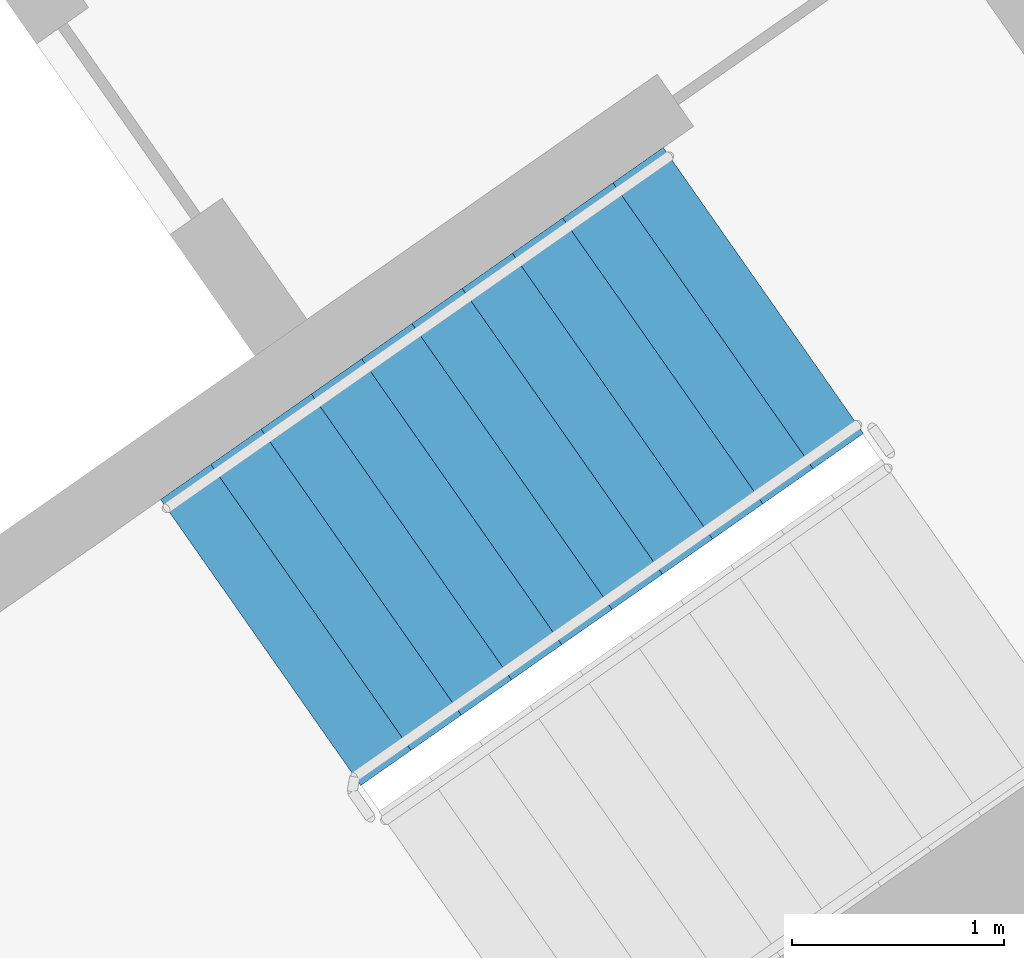
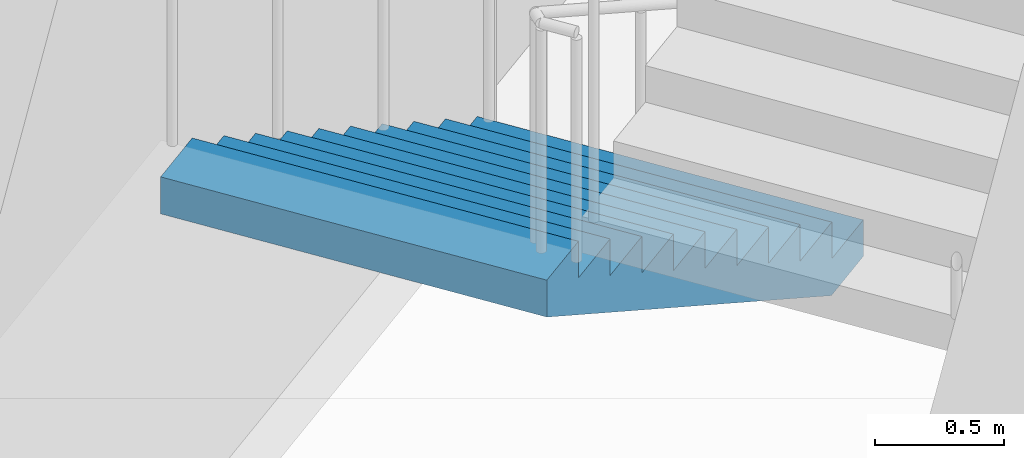
# One storey, part 17 of 29: 1 stair flight, 1 element without a shape of its own.
"""IFC4 building model written with IfcOpenShell, lengths in metres."""

from ifc_helpers import new_model, si_unit, direction, frame, origin, place, context, subcontext, project, spatial, faceted_brep, material, type_object, element, aggregate, save


model = new_model("IFC4")

# Units and contexts
model_context = context("Model", 3, precision=1e-05, world=origin(), true_north=direction((0.0, 1.0)))
body_context = subcontext(model_context, "Body", "Model", "MODEL_VIEW")
ifc_project = project(units=[si_unit("LENGTHUNIT", "METRE"), si_unit("AREAUNIT", "SQUARE_METRE"), si_unit("VOLUMEUNIT", "CUBIC_METRE"), si_unit("PLANEANGLEUNIT", "RADIAN"), si_unit("MASSUNIT", "GRAM", prefix="KILO")], contexts=[model_context])

# Site, building, storey
site_placement = place(None, origin())
site = spatial("IfcSite", under=ifc_project, at=site_placement, CompositionType="ELEMENT")
building_placement = place(site_placement, origin())
building = spatial("IfcBuilding", under=site, at=building_placement, Name="Qamariyya Broadcast Tower", CompositionType="ELEMENT")
storey_placement = place(building_placement, frame((0.0, 0.0, 129.10009765625)))
storey = spatial("IfcBuildingStorey", under=building, at=storey_placement, Name="L29", CompositionType="ELEMENT", Elevation=129.10009765625)

# Stair, stair flight
ifc_material = material(Name="Concrete C50/60", Category="concrete")
stair_type = type_object("IfcStairType", Name="Exit stair 22 risers of 173 mm", PredefinedType="HALF_TURN_STAIR", material=ifc_material)
stair_placement = place(storey_placement, origin())
stair = element("IfcStair", 1, at=stair_placement, inside=storey, type_object=stair_type, Name="L29 Stair E1", PredefinedType="HALF_TURN_STAIR")
stair_flight_type = type_object("IfcStairFlightType", Name="Exit stair flight 11 risers of 173 mm", PredefinedType="STRAIGHT", material=ifc_material)
stair_flight_placement = place(storey_placement, frame((46.036376953125, -55.508056640625, 0.0), z_axis=(0.0, 0.0, 1.0), x_axis=(-0.819152044289, -0.573576436351, 0.0)))
stair_flight = element("IfcStairFlight", 2, at=stair_flight_placement, type_object=stair_flight_type, Name="ST-E1 flight 1", NumberOfRisers=11, NumberOfTreads=10, PredefinedType="STRAIGHT", RiserHeight=0.172727273, TreadLength=0.29, context=body_context, shape_type="Brep", body=[
    faceted_brep([(0.0, 0.824951171875, 0.0), (0.0, 0.824951171875, 0.172607421875), (0.2900390625, 0.824951171875, 0.172607421875), (0.2900390625, 0.824951171875, 0.345458984375), (0.580078125, 0.824951171875, 0.345458984375), (0.580078125, 0.824951171875, 0.51806640625), (0.8701171875, 0.824951171875, 0.51806640625), (0.8701171875, 0.824951171875, 0.69091796875), (1.159912109375, 0.824951171875, 0.69091796875), (1.159912109375, 0.824951171875, 0.863525390625), (1.449951171875, 0.824951171875, 0.863525390625), (1.449951171875, 0.824951171875, 1.036376953125), (1.739990234375, 0.824951171875, 1.036376953125), (1.739990234375, 0.824951171875, 1.208984375), (2.030029296875, 0.824951171875, 1.208984375), (2.030029296875, 0.824951171875, 1.3818359375), (2.320068359375, 0.824951171875, 1.3818359375), (2.320068359375, 0.824951171875, 1.554443359375), (2.610107421875, 0.824951171875, 1.554443359375), (2.610107421875, 0.824951171875, 1.727294921875), (2.89990234375, 0.824951171875, 1.727294921875), (2.89990234375, 0.824951171875, 1.552734375), (0.29296875, 0.824951171875, 0.0), (0.29296875, -0.824951171875, 0.0), (2.89990234375, -0.824951171875, 1.552734375), (2.89990234375, -0.824951171875, 1.727294921875), (2.610107421875, -0.824951171875, 1.727294921875), (2.610107421875, -0.824951171875, 1.554443359375), (2.320068359375, -0.824951171875, 1.554443359375), (2.320068359375, -0.824951171875, 1.3818359375), (2.030029296875, -0.824951171875, 1.3818359375), (2.030029296875, -0.824951171875, 1.208984375), (1.739990234375, -0.824951171875, 1.208984375), (1.739990234375, -0.824951171875, 1.036376953125), (1.449951171875, -0.824951171875, 1.036376953125), (1.449951171875, -0.824951171875, 0.863525390625), (1.159912109375, -0.824951171875, 0.863525390625), (1.159912109375, -0.824951171875, 0.69091796875), (0.8701171875, -0.824951171875, 0.69091796875), (0.8701171875, -0.824951171875, 0.51806640625), (0.580078125, -0.824951171875, 0.51806640625), (0.580078125, -0.824951171875, 0.345458984375), (0.2900390625, -0.824951171875, 0.345458984375), (0.2900390625, -0.824951171875, 0.172607421875), (0.0, -0.824951171875, 0.172607421875), (0.0, -0.824951171875, 0.0), (0.0, 0.10009765625, 0.0), (0.0, 0.086669921875, 0.0), (0.0, 0.0732421875, 0.0), (0.0, 0.06005859375, 0.0), (0.0, 0.046630859375, 0.0), (0.0, 0.033447265625, 0.0), (0.0, 0.02001953125, 0.0), (0.0, 0.006591796875, 0.0), (0.0, -0.006591796875, 0.0), (0.0, -0.02001953125, 0.0), (0.0, -0.033447265625, 0.0), (0.0, -0.046630859375, 0.0), (0.0, -0.06005859375, 0.0), (0.0, -0.0732421875, 0.0), (0.0, -0.086669921875, 0.0), (0.0, -0.10009765625, 0.0), (0.0, -0.10009765625, 0.172607421875), (0.0, -0.086669921875, 0.172607421875), (0.0, -0.0732421875, 0.172607421875), (0.0, -0.06005859375, 0.172607421875), (0.0, -0.046630859375, 0.172607421875), (0.0, -0.033447265625, 0.172607421875), (0.0, -0.02001953125, 0.172607421875), (0.0, -0.006591796875, 0.172607421875), (0.0, 0.006591796875, 0.172607421875), (0.0, 0.02001953125, 0.172607421875), (0.0, 0.033447265625, 0.172607421875), (0.0, 0.046630859375, 0.172607421875), (0.0, 0.06005859375, 0.172607421875), (0.0, 0.0732421875, 0.172607421875), (0.0, 0.086669921875, 0.172607421875), (0.0, 0.10009765625, 0.172607421875), (0.2900390625, -0.10009765625, 0.172607421875), (0.2900390625, -0.086669921875, 0.172607421875), (0.2900390625, -0.0732421875, 0.172607421875), (0.2900390625, -0.06005859375, 0.172607421875), (0.2900390625, -0.046630859375, 0.172607421875), (0.2900390625, -0.033447265625, 0.172607421875), (0.2900390625, -0.02001953125, 0.172607421875), (0.2900390625, -0.006591796875, 0.172607421875), (0.2900390625, 0.006591796875, 0.172607421875), (0.2900390625, 0.02001953125, 0.172607421875), (0.2900390625, 0.033447265625, 0.172607421875), (0.2900390625, 0.046630859375, 0.172607421875), (0.2900390625, 0.06005859375, 0.172607421875), (0.2900390625, 0.0732421875, 0.172607421875), (0.2900390625, 0.086669921875, 0.172607421875), (0.2900390625, 0.10009765625, 0.172607421875), (0.2900390625, -0.10009765625, 0.345458984375), (0.2900390625, -0.086669921875, 0.345458984375), (0.2900390625, -0.0732421875, 0.345458984375), (0.2900390625, -0.06005859375, 0.345458984375), (0.2900390625, -0.046630859375, 0.345458984375), (0.2900390625, -0.033447265625, 0.345458984375), (0.2900390625, -0.02001953125, 0.345458984375), (0.2900390625, -0.006591796875, 0.345458984375), (0.2900390625, 0.006591796875, 0.345458984375), (0.2900390625, 0.02001953125, 0.345458984375), (0.2900390625, 0.033447265625, 0.345458984375), (0.2900390625, 0.046630859375, 0.345458984375), (0.2900390625, 0.06005859375, 0.345458984375), (0.2900390625, 0.0732421875, 0.345458984375), (0.2900390625, 0.086669921875, 0.345458984375), (0.2900390625, 0.10009765625, 0.345458984375), (0.580078125, -0.10009765625, 0.345458984375), (0.580078125, -0.086669921875, 0.345458984375), (0.580078125, -0.0732421875, 0.345458984375), (0.580078125, -0.06005859375, 0.345458984375), (0.580078125, -0.046630859375, 0.345458984375), (0.580078125, -0.033447265625, 0.345458984375), (0.580078125, -0.02001953125, 0.345458984375), (0.580078125, -0.006591796875, 0.345458984375), (0.580078125, 0.006591796875, 0.345458984375), (0.580078125, 0.02001953125, 0.345458984375), (0.580078125, 0.033447265625, 0.345458984375), (0.580078125, 0.046630859375, 0.345458984375), (0.580078125, 0.06005859375, 0.345458984375), (0.580078125, 0.0732421875, 0.345458984375), (0.580078125, 0.086669921875, 0.345458984375), (0.580078125, 0.10009765625, 0.345458984375), (0.580078125, -0.10009765625, 0.51806640625), (0.580078125, -0.086669921875, 0.51806640625), (0.580078125, -0.0732421875, 0.51806640625), (0.580078125, -0.06005859375, 0.51806640625), (0.580078125, -0.046630859375, 0.51806640625), (0.580078125, -0.033447265625, 0.51806640625), (0.580078125, -0.02001953125, 0.51806640625), (0.580078125, -0.006591796875, 0.51806640625), (0.580078125, 0.006591796875, 0.51806640625), (0.580078125, 0.02001953125, 0.51806640625), (0.580078125, 0.033447265625, 0.51806640625), (0.580078125, 0.046630859375, 0.51806640625), (0.580078125, 0.06005859375, 0.51806640625), (0.580078125, 0.0732421875, 0.51806640625), (0.580078125, 0.086669921875, 0.51806640625), (0.580078125, 0.10009765625, 0.51806640625), (0.8701171875, -0.10009765625, 0.51806640625), (0.8701171875, -0.086669921875, 0.51806640625), (0.8701171875, -0.0732421875, 0.51806640625), (0.8701171875, -0.06005859375, 0.51806640625), (0.8701171875, -0.046630859375, 0.51806640625), (0.8701171875, -0.033447265625, 0.51806640625), (0.8701171875, -0.02001953125, 0.51806640625), (0.8701171875, -0.006591796875, 0.51806640625), (0.8701171875, 0.006591796875, 0.51806640625), (0.8701171875, 0.02001953125, 0.51806640625), (0.8701171875, 0.033447265625, 0.51806640625), (0.8701171875, 0.046630859375, 0.51806640625), (0.8701171875, 0.06005859375, 0.51806640625), (0.8701171875, 0.0732421875, 0.51806640625), (0.8701171875, 0.086669921875, 0.51806640625), (0.8701171875, 0.10009765625, 0.51806640625), (0.8701171875, -0.10009765625, 0.69091796875), (0.8701171875, -0.086669921875, 0.69091796875), (0.8701171875, -0.0732421875, 0.69091796875), (0.8701171875, -0.06005859375, 0.69091796875), (0.8701171875, -0.046630859375, 0.69091796875), (0.8701171875, -0.033447265625, 0.69091796875), (0.8701171875, -0.02001953125, 0.69091796875), (0.8701171875, -0.006591796875, 0.69091796875), (0.8701171875, 0.006591796875, 0.69091796875), (0.8701171875, 0.02001953125, 0.69091796875), (0.8701171875, 0.033447265625, 0.69091796875), (0.8701171875, 0.046630859375, 0.69091796875), (0.8701171875, 0.06005859375, 0.69091796875), (0.8701171875, 0.0732421875, 0.69091796875), (0.8701171875, 0.086669921875, 0.69091796875), (0.8701171875, 0.10009765625, 0.69091796875), (1.159912109375, -0.10009765625, 0.69091796875), (1.159912109375, -0.086669921875, 0.69091796875), (1.159912109375, -0.0732421875, 0.69091796875), (1.159912109375, -0.06005859375, 0.69091796875), (1.159912109375, -0.046630859375, 0.69091796875), (1.159912109375, -0.033447265625, 0.69091796875), (1.159912109375, -0.02001953125, 0.69091796875), (1.159912109375, -0.006591796875, 0.69091796875), (1.159912109375, 0.006591796875, 0.69091796875), (1.159912109375, 0.02001953125, 0.69091796875), (1.159912109375, 0.033447265625, 0.69091796875), (1.159912109375, 0.046630859375, 0.69091796875), (1.159912109375, 0.06005859375, 0.69091796875), (1.159912109375, 0.0732421875, 0.69091796875), (1.159912109375, 0.086669921875, 0.69091796875), (1.159912109375, 0.10009765625, 0.69091796875), (1.159912109375, -0.10009765625, 0.863525390625), (1.159912109375, -0.086669921875, 0.863525390625), (1.159912109375, -0.0732421875, 0.863525390625), (1.159912109375, -0.06005859375, 0.863525390625), (1.159912109375, -0.046630859375, 0.863525390625), (1.159912109375, -0.033447265625, 0.863525390625), (1.159912109375, -0.02001953125, 0.863525390625), (1.159912109375, -0.006591796875, 0.863525390625), (1.159912109375, 0.006591796875, 0.863525390625), (1.159912109375, 0.02001953125, 0.863525390625), (1.159912109375, 0.033447265625, 0.863525390625), (1.159912109375, 0.046630859375, 0.863525390625), (1.159912109375, 0.06005859375, 0.863525390625), (1.159912109375, 0.0732421875, 0.863525390625), (1.159912109375, 0.086669921875, 0.863525390625), (1.159912109375, 0.10009765625, 0.863525390625), (1.449951171875, -0.10009765625, 0.863525390625), (1.449951171875, -0.086669921875, 0.863525390625), (1.449951171875, -0.0732421875, 0.863525390625), (1.449951171875, -0.06005859375, 0.863525390625), (1.449951171875, -0.046630859375, 0.863525390625), (1.449951171875, -0.033447265625, 0.863525390625), (1.449951171875, -0.02001953125, 0.863525390625), (1.449951171875, -0.006591796875, 0.863525390625), (1.449951171875, 0.006591796875, 0.863525390625), (1.449951171875, 0.02001953125, 0.863525390625), (1.449951171875, 0.033447265625, 0.863525390625), (1.449951171875, 0.046630859375, 0.863525390625), (1.449951171875, 0.06005859375, 0.863525390625), (1.449951171875, 0.0732421875, 0.863525390625), (1.449951171875, 0.086669921875, 0.863525390625), (1.449951171875, 0.10009765625, 0.863525390625), (1.449951171875, -0.10009765625, 1.036376953125), (1.449951171875, -0.086669921875, 1.036376953125), (1.449951171875, -0.0732421875, 1.036376953125), (1.449951171875, -0.06005859375, 1.036376953125), (1.449951171875, -0.046630859375, 1.036376953125), (1.449951171875, -0.033447265625, 1.036376953125), (1.449951171875, -0.02001953125, 1.036376953125), (1.449951171875, -0.006591796875, 1.036376953125), (1.449951171875, 0.006591796875, 1.036376953125), (1.449951171875, 0.02001953125, 1.036376953125), (1.449951171875, 0.033447265625, 1.036376953125), (1.449951171875, 0.046630859375, 1.036376953125), (1.449951171875, 0.06005859375, 1.036376953125), (1.449951171875, 0.0732421875, 1.036376953125), (1.449951171875, 0.086669921875, 1.036376953125), (1.449951171875, 0.10009765625, 1.036376953125), (1.739990234375, -0.10009765625, 1.036376953125), (1.739990234375, -0.086669921875, 1.036376953125), (1.739990234375, -0.0732421875, 1.036376953125), (1.739990234375, -0.06005859375, 1.036376953125), (1.739990234375, -0.046630859375, 1.036376953125), (1.739990234375, -0.033447265625, 1.036376953125), (1.739990234375, -0.02001953125, 1.036376953125), (1.739990234375, -0.006591796875, 1.036376953125), (1.739990234375, 0.006591796875, 1.036376953125), (1.739990234375, 0.02001953125, 1.036376953125), (1.739990234375, 0.033447265625, 1.036376953125), (1.739990234375, 0.046630859375, 1.036376953125), (1.739990234375, 0.06005859375, 1.036376953125), (1.739990234375, 0.0732421875, 1.036376953125), (1.739990234375, 0.086669921875, 1.036376953125), (1.739990234375, 0.10009765625, 1.036376953125), (1.739990234375, -0.10009765625, 1.208984375), (1.739990234375, -0.086669921875, 1.208984375), (1.739990234375, -0.0732421875, 1.208984375), (1.739990234375, -0.06005859375, 1.208984375), (1.739990234375, -0.046630859375, 1.208984375), (1.739990234375, -0.033447265625, 1.208984375), (1.739990234375, -0.02001953125, 1.208984375), (1.739990234375, -0.006591796875, 1.208984375), (1.739990234375, 0.006591796875, 1.208984375), (1.739990234375, 0.02001953125, 1.208984375), (1.739990234375, 0.033447265625, 1.208984375), (1.739990234375, 0.046630859375, 1.208984375), (1.739990234375, 0.06005859375, 1.208984375), (1.739990234375, 0.0732421875, 1.208984375), (1.739990234375, 0.086669921875, 1.208984375), (1.739990234375, 0.10009765625, 1.208984375), (2.030029296875, -0.10009765625, 1.208984375), (2.030029296875, -0.086669921875, 1.208984375), (2.030029296875, -0.0732421875, 1.208984375), (2.030029296875, -0.06005859375, 1.208984375), (2.030029296875, -0.046630859375, 1.208984375), (2.030029296875, -0.033447265625, 1.208984375), (2.030029296875, -0.02001953125, 1.208984375), (2.030029296875, -0.006591796875, 1.208984375), (2.030029296875, 0.006591796875, 1.208984375), (2.030029296875, 0.02001953125, 1.208984375), (2.030029296875, 0.033447265625, 1.208984375), (2.030029296875, 0.046630859375, 1.208984375), (2.030029296875, 0.06005859375, 1.208984375), (2.030029296875, 0.0732421875, 1.208984375), (2.030029296875, 0.086669921875, 1.208984375), (2.030029296875, 0.10009765625, 1.208984375), (2.030029296875, -0.10009765625, 1.3818359375), (2.030029296875, -0.086669921875, 1.3818359375), (2.030029296875, -0.0732421875, 1.3818359375), (2.030029296875, -0.06005859375, 1.3818359375), (2.030029296875, -0.046630859375, 1.3818359375), (2.030029296875, -0.033447265625, 1.3818359375), (2.030029296875, -0.02001953125, 1.3818359375), (2.030029296875, -0.006591796875, 1.3818359375), (2.030029296875, 0.006591796875, 1.3818359375), (2.030029296875, 0.02001953125, 1.3818359375), (2.030029296875, 0.033447265625, 1.3818359375), (2.030029296875, 0.046630859375, 1.3818359375), (2.030029296875, 0.06005859375, 1.3818359375), (2.030029296875, 0.0732421875, 1.3818359375), (2.030029296875, 0.086669921875, 1.3818359375), (2.030029296875, 0.10009765625, 1.3818359375), (2.320068359375, -0.10009765625, 1.3818359375), (2.320068359375, -0.086669921875, 1.3818359375), (2.320068359375, -0.0732421875, 1.3818359375), (2.320068359375, -0.06005859375, 1.3818359375), (2.320068359375, -0.046630859375, 1.3818359375), (2.320068359375, -0.033447265625, 1.3818359375), (2.320068359375, -0.02001953125, 1.3818359375), (2.320068359375, -0.006591796875, 1.3818359375), (2.320068359375, 0.006591796875, 1.3818359375), (2.320068359375, 0.02001953125, 1.3818359375), (2.320068359375, 0.033447265625, 1.3818359375), (2.320068359375, 0.046630859375, 1.3818359375), (2.320068359375, 0.06005859375, 1.3818359375), (2.320068359375, 0.0732421875, 1.3818359375), (2.320068359375, 0.086669921875, 1.3818359375), (2.320068359375, 0.10009765625, 1.3818359375), (2.320068359375, -0.10009765625, 1.554443359375), (2.320068359375, -0.086669921875, 1.554443359375), (2.320068359375, -0.0732421875, 1.554443359375), (2.320068359375, -0.06005859375, 1.554443359375), (2.320068359375, -0.046630859375, 1.554443359375), (2.320068359375, -0.033447265625, 1.554443359375), (2.320068359375, -0.02001953125, 1.554443359375), (2.320068359375, -0.006591796875, 1.554443359375), (2.320068359375, 0.006591796875, 1.554443359375), (2.320068359375, 0.02001953125, 1.554443359375), (2.320068359375, 0.033447265625, 1.554443359375), (2.320068359375, 0.046630859375, 1.554443359375), (2.320068359375, 0.06005859375, 1.554443359375), (2.320068359375, 0.0732421875, 1.554443359375), (2.320068359375, 0.086669921875, 1.554443359375), (2.320068359375, 0.10009765625, 1.554443359375), (2.610107421875, -0.10009765625, 1.554443359375), (2.610107421875, -0.086669921875, 1.554443359375), (2.610107421875, -0.0732421875, 1.554443359375), (2.610107421875, -0.06005859375, 1.554443359375), (2.610107421875, -0.046630859375, 1.554443359375), (2.610107421875, -0.033447265625, 1.554443359375), (2.610107421875, -0.02001953125, 1.554443359375), (2.610107421875, -0.006591796875, 1.554443359375), (2.610107421875, 0.006591796875, 1.554443359375), (2.610107421875, 0.02001953125, 1.554443359375), (2.610107421875, 0.033447265625, 1.554443359375), (2.610107421875, 0.046630859375, 1.554443359375), (2.610107421875, 0.06005859375, 1.554443359375), (2.610107421875, 0.0732421875, 1.554443359375), (2.610107421875, 0.086669921875, 1.554443359375), (2.610107421875, 0.10009765625, 1.554443359375), (2.610107421875, -0.10009765625, 1.727294921875), (2.610107421875, -0.086669921875, 1.727294921875), (2.610107421875, -0.0732421875, 1.727294921875), (2.610107421875, -0.06005859375, 1.727294921875), (2.610107421875, -0.046630859375, 1.727294921875), (2.610107421875, -0.033447265625, 1.727294921875), (2.610107421875, -0.02001953125, 1.727294921875), (2.610107421875, -0.006591796875, 1.727294921875), (2.610107421875, 0.006591796875, 1.727294921875), (2.610107421875, 0.02001953125, 1.727294921875), (2.610107421875, 0.033447265625, 1.727294921875), (2.610107421875, 0.046630859375, 1.727294921875), (2.610107421875, 0.06005859375, 1.727294921875), (2.610107421875, 0.0732421875, 1.727294921875), (2.610107421875, 0.086669921875, 1.727294921875), (2.610107421875, 0.10009765625, 1.727294921875), (2.89990234375, -0.10009765625, 1.727294921875), (2.89990234375, -0.086669921875, 1.727294921875), (2.89990234375, -0.0732421875, 1.727294921875), (2.89990234375, -0.06005859375, 1.727294921875), (2.89990234375, -0.046630859375, 1.727294921875), (2.89990234375, -0.033447265625, 1.727294921875), (2.89990234375, -0.02001953125, 1.727294921875), (2.89990234375, -0.006591796875, 1.727294921875), (2.89990234375, 0.006591796875, 1.727294921875), (2.89990234375, 0.02001953125, 1.727294921875), (2.89990234375, 0.033447265625, 1.727294921875), (2.89990234375, 0.046630859375, 1.727294921875), (2.89990234375, 0.06005859375, 1.727294921875), (2.89990234375, 0.0732421875, 1.727294921875), (2.89990234375, 0.086669921875, 1.727294921875), (2.89990234375, 0.10009765625, 1.727294921875), (2.89990234375, -0.10009765625, 1.552734375), (2.89990234375, -0.086669921875, 1.552734375), (2.89990234375, -0.0732421875, 1.552734375), (2.89990234375, -0.06005859375, 1.552734375), (2.89990234375, -0.046630859375, 1.552734375), (2.89990234375, -0.033447265625, 1.552734375), (2.89990234375, -0.02001953125, 1.552734375), (2.89990234375, -0.006591796875, 1.552734375), (2.89990234375, 0.006591796875, 1.552734375), (2.89990234375, 0.02001953125, 1.552734375), (2.89990234375, 0.033447265625, 1.552734375), (2.89990234375, 0.046630859375, 1.552734375), (2.89990234375, 0.06005859375, 1.552734375), (2.89990234375, 0.0732421875, 1.552734375), (2.89990234375, 0.086669921875, 1.552734375), (2.89990234375, 0.10009765625, 1.552734375), (0.29296875, -0.10009765625, 0.0), (0.29296875, -0.086669921875, 0.0), (0.29296875, -0.0732421875, 0.0), (0.29296875, -0.06005859375, 0.0), (0.29296875, -0.046630859375, 0.0), (0.29296875, -0.033447265625, 0.0), (0.29296875, -0.02001953125, 0.0), (0.29296875, -0.006591796875, 0.0), (0.29296875, 0.006591796875, 0.0), (0.29296875, 0.02001953125, 0.0), (0.29296875, 0.033447265625, 0.0), (0.29296875, 0.046630859375, 0.0), (0.29296875, 0.06005859375, 0.0), (0.29296875, 0.0732421875, 0.0), (0.29296875, 0.086669921875, 0.0), (0.29296875, 0.10009765625, 0.0)], [[[0, 1, 2, 3, 4, 5, 6, 7, 8, 9, 10, 11, 12, 13, 14, 15, 16, 17, 18, 19, 20, 21, 22]], [[23, 24, 25, 26, 27, 28, 29, 30, 31, 32, 33, 34, 35, 36, 37, 38, 39, 40, 41, 42, 43, 44, 45]], [[0, 46, 47, 48, 49, 50, 51, 52, 53, 54, 55, 56, 57, 58, 59, 60, 61, 45, 44, 62, 63, 64, 65, 66, 67, 68, 69, 70, 71, 72, 73, 74, 75, 76, 77, 1]], [[1, 77, 76, 75, 74, 73, 72, 71, 70, 69, 68, 67, 66, 65, 64, 63, 62, 44, 43, 78, 79, 80, 81, 82, 83, 84, 85, 86, 87, 88, 89, 90, 91, 92, 93, 2]], [[2, 93, 92, 91, 90, 89, 88, 87, 86, 85, 84, 83, 82, 81, 80, 79, 78, 43, 42, 94, 95, 96, 97, 98, 99, 100, 101, 102, 103, 104, 105, 106, 107, 108, 109, 3]], [[3, 109, 108, 107, 106, 105, 104, 103, 102, 101, 100, 99, 98, 97, 96, 95, 94, 42, 41, 110, 111, 112, 113, 114, 115, 116, 117, 118, 119, 120, 121, 122, 123, 124, 125, 4]], [[4, 125, 124, 123, 122, 121, 120, 119, 118, 117, 116, 115, 114, 113, 112, 111, 110, 41, 40, 126, 127, 128, 129, 130, 131, 132, 133, 134, 135, 136, 137, 138, 139, 140, 141, 5]], [[5, 141, 140, 139, 138, 137, 136, 135, 134, 133, 132, 131, 130, 129, 128, 127, 126, 40, 39, 142, 143, 144, 145, 146, 147, 148, 149, 150, 151, 152, 153, 154, 155, 156, 157, 6]], [[6, 157, 156, 155, 154, 153, 152, 151, 150, 149, 148, 147, 146, 145, 144, 143, 142, 39, 38, 158, 159, 160, 161, 162, 163, 164, 165, 166, 167, 168, 169, 170, 171, 172, 173, 7]], [[7, 173, 172, 171, 170, 169, 168, 167, 166, 165, 164, 163, 162, 161, 160, 159, 158, 38, 37, 174, 175, 176, 177, 178, 179, 180, 181, 182, 183, 184, 185, 186, 187, 188, 189, 8]], [[8, 189, 188, 187, 186, 185, 184, 183, 182, 181, 180, 179, 178, 177, 176, 175, 174, 37, 36, 190, 191, 192, 193, 194, 195, 196, 197, 198, 199, 200, 201, 202, 203, 204, 205, 9]], [[9, 205, 204, 203, 202, 201, 200, 199, 198, 197, 196, 195, 194, 193, 192, 191, 190, 36, 35, 206, 207, 208, 209, 210, 211, 212, 213, 214, 215, 216, 217, 218, 219, 220, 221, 10]], [[10, 221, 220, 219, 218, 217, 216, 215, 214, 213, 212, 211, 210, 209, 208, 207, 206, 35, 34, 222, 223, 224, 225, 226, 227, 228, 229, 230, 231, 232, 233, 234, 235, 236, 237, 11]], [[11, 237, 236, 235, 234, 233, 232, 231, 230, 229, 228, 227, 226, 225, 224, 223, 222, 34, 33, 238, 239, 240, 241, 242, 243, 244, 245, 246, 247, 248, 249, 250, 251, 252, 253, 12]], [[12, 253, 252, 251, 250, 249, 248, 247, 246, 245, 244, 243, 242, 241, 240, 239, 238, 33, 32, 254, 255, 256, 257, 258, 259, 260, 261, 262, 263, 264, 265, 266, 267, 268, 269, 13]], [[13, 269, 268, 267, 266, 265, 264, 263, 262, 261, 260, 259, 258, 257, 256, 255, 254, 32, 31, 270, 271, 272, 273, 274, 275, 276, 277, 278, 279, 280, 281, 282, 283, 284, 285, 14]], [[14, 285, 284, 283, 282, 281, 280, 279, 278, 277, 276, 275, 274, 273, 272, 271, 270, 31, 30, 286, 287, 288, 289, 290, 291, 292, 293, 294, 295, 296, 297, 298, 299, 300, 301, 15]], [[15, 301, 300, 299, 298, 297, 296, 295, 294, 293, 292, 291, 290, 289, 288, 287, 286, 30, 29, 302, 303, 304, 305, 306, 307, 308, 309, 310, 311, 312, 313, 314, 315, 316, 317, 16]], [[16, 317, 316, 315, 314, 313, 312, 311, 310, 309, 308, 307, 306, 305, 304, 303, 302, 29, 28, 318, 319, 320, 321, 322, 323, 324, 325, 326, 327, 328, 329, 330, 331, 332, 333, 17]], [[17, 333, 332, 331, 330, 329, 328, 327, 326, 325, 324, 323, 322, 321, 320, 319, 318, 28, 27, 334, 335, 336, 337, 338, 339, 340, 341, 342, 343, 344, 345, 346, 347, 348, 349, 18]], [[18, 349, 348, 347, 346, 345, 344, 343, 342, 341, 340, 339, 338, 337, 336, 335, 334, 27, 26, 350, 351, 352, 353, 354, 355, 356, 357, 358, 359, 360, 361, 362, 363, 364, 365, 19]], [[19, 365, 364, 363, 362, 361, 360, 359, 358, 357, 356, 355, 354, 353, 352, 351, 350, 26, 25, 366, 367, 368, 369, 370, 371, 372, 373, 374, 375, 376, 377, 378, 379, 380, 381, 20]], [[20, 381, 380, 379, 378, 377, 376, 375, 374, 373, 372, 371, 370, 369, 368, 367, 366, 25, 24, 382, 383, 384, 385, 386, 387, 388, 389, 390, 391, 392, 393, 394, 395, 396, 397, 21]], [[21, 397, 396, 395, 394, 393, 392, 391, 390, 389, 388, 387, 386, 385, 384, 383, 382, 24, 23, 398, 399, 400, 401, 402, 403, 404, 405, 406, 407, 408, 409, 410, 411, 412, 413, 22]], [[22, 413, 412, 411, 410, 409, 408, 407, 406, 405, 404, 403, 402, 401, 400, 399, 398, 23, 45, 61, 60, 59, 58, 57, 56, 55, 54, 53, 52, 51, 50, 49, 48, 47, 46, 0]]]),
])
aggregate(stair, [stair_flight])

save(model, "model.ifc")
